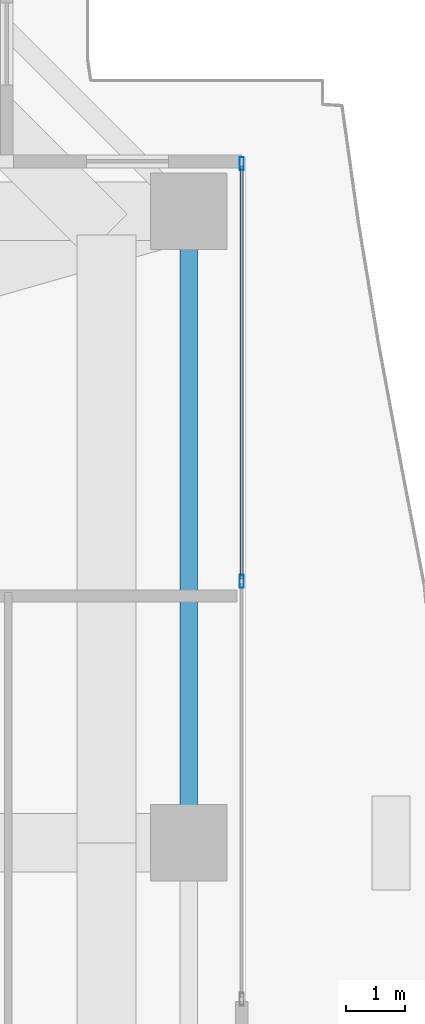
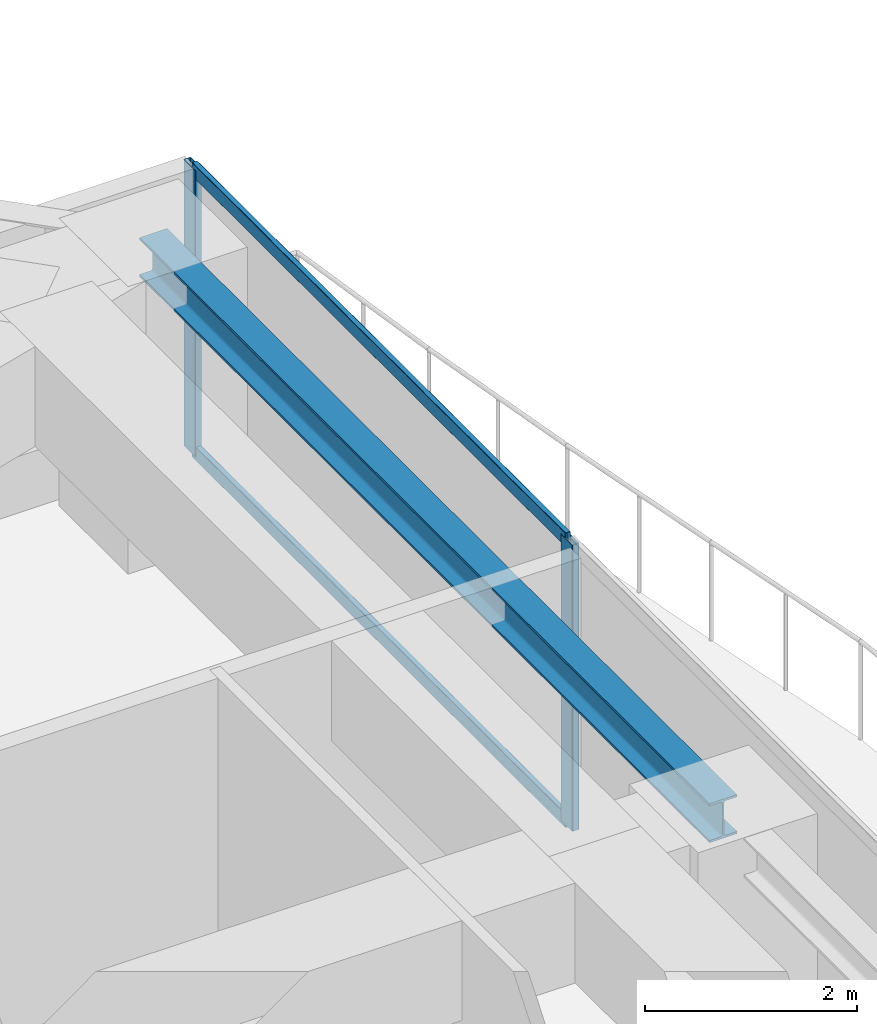
# One storey, part 21 of 32: 4 members, 1 beam, 1 element without a shape of its own.
"""IFC4 building model written with IfcOpenShell, lengths in metres."""

from ifc_helpers import new_model, si_unit, direction, frame, origin, origin_2d, place, context, subcontext, project, spatial, hollow_rectangle, i_section, extrude, source, transform, mapped, material, layer, layer_set, material_profile, profile_set, type_object, element, aggregate, save


model = new_model("IFC4")

# Units and contexts
model_context = context("Model", 3, precision=1e-05, world=origin(), true_north=direction((0.0, 1.0)))
body_context = subcontext(model_context, "Body", "Model", "MODEL_VIEW")
ifc_project = project(units=[si_unit("LENGTHUNIT", "METRE"), si_unit("AREAUNIT", "SQUARE_METRE"), si_unit("VOLUMEUNIT", "CUBIC_METRE"), si_unit("PLANEANGLEUNIT", "RADIAN"), si_unit("MASSUNIT", "GRAM", prefix="KILO")], contexts=[model_context])

# Site, building, storey
site_placement = place(None, origin())
site = spatial("IfcSite", under=ifc_project, at=site_placement, CompositionType="ELEMENT")
building_placement = place(site_placement, origin())
building = spatial("IfcBuilding", under=site, at=building_placement, Name="Serunith Strait Residences", CompositionType="ELEMENT")
storey_placement = place(building_placement, frame((0.0, 0.0, 195.14990234375)))
storey = spatial("IfcBuildingStorey", under=building, at=storey_placement, Name="L49", CompositionType="ELEMENT", Elevation=195.14990234375)

# Beam
ifc_material_1 = material(Name="Steel S355J2", Category="steel")
ifc_material_profile_1 = material_profile(ifc_material_1, i_section(OverallWidth=0.300048828125, OverallDepth=0.449951171875, WebThickness=0.013916015625, FlangeThickness=0.02587890625, FilletRadius=0.027099609375, at=origin_2d()), Name="HEB 450")
ifc_profile_set_1 = profile_set([ifc_material_profile_1], Name="Steel S355J2")
beam_type = type_object("IfcBeamType", Name="BM-HEB450", PredefinedType="BEAM", material=ifc_profile_set_1)
shared_shape_1 = source(origin(), body_context, "Body", "SweptSolid", [
    extrude(i_section(OverallWidth=0.300048828125, OverallDepth=0.449951171875, WebThickness=0.013916015625, FlangeThickness=0.02587890625, FilletRadius=0.027099609375, at=origin_2d()), origin(), (0.0, 0.0, 1.0), 10.75),
])
beam_placement = place(storey_placement, frame((56.10009765625, 29.39990234375, 3.08203125), z_axis=(0.0, 1.0, 0.0), x_axis=(-1.0, 0.0, 0.0)))
element("IfcBeam", 1, at=beam_placement, inside=storey, type_object=beam_type, Name="L49 Perimeter Ring Beam 07", PredefinedType="BEAM", context=body_context, shape_type="MappedRepresentation", body=[
    mapped(shared_shape_1, transform((0.0, 0.0, 0.0), scale=1.0)),
])

# Curtain wall, members
ifc_material_2 = material(Name="Pale-Silver PVDF Aluminium", Category="aluminium")
ifc_layer = layer(ifc_material_2, 0.199951171875, Name="Pale-Silver PVDF Aluminium")
ifc_layer_set = layer_set([ifc_layer], Name="Pale-Silver PVDF Aluminium")
curtain_wall_type = type_object("IfcCurtainWallType", Name="CW-SYS3", PredefinedType="NOTDEFINED", material=ifc_layer_set)
curtain_wall_placement = place(storey_placement, origin())
curtain_wall = element("IfcCurtainWall", 2, at=curtain_wall_placement, inside=storey, type_object=curtain_wall_type, Name="L49 E Unitised Fritted Curtain Wall", PredefinedType="NOTDEFINED")
ifc_material_profile_2 = material_profile(ifc_material_2, hollow_rectangle(XDim=0.06005859375, YDim=0.159912109375, WallThickness=0.00341796875, InnerFilletRadius=0.00537109375, OuterFilletRadius=0.0087890625, at=origin_2d()), Name="ALU 160x60x3.5")
ifc_profile_set_2 = profile_set([ifc_material_profile_2], Name="Pale-Silver PVDF Aluminium")
member_type_1 = type_object("IfcMemberType", Name="CW-SYS3-TRAN", PredefinedType="USERDEFINED", material=ifc_profile_set_2)
shared_shape_2 = source(origin(), body_context, "Body", "SweptSolid", [
    extrude(hollow_rectangle(XDim=0.06005859375, YDim=0.159912109375, WallThickness=0.00341796875, InnerFilletRadius=0.00537109375, OuterFilletRadius=0.0087890625, at=origin_2d()), origin(), (0.0, 0.0, 1.0), 7.03759765625),
])
member_1_placement = place(storey_placement, frame((57.0, 33.887451171875, 0.030029296875), z_axis=(0.0, 1.0, 0.0), x_axis=(-1.0, 0.0, 0.0)))
member_1 = element("IfcMember", 3, at=member_1_placement, type_object=member_type_1, Name="CW-3 transom 2.1", ObjectType="TRANSOM", PredefinedType="USERDEFINED", context=body_context, shape_type="MappedRepresentation", body=[
    mapped(shared_shape_2, transform((0.0, 0.0, 0.0), scale=1.0)),
])
member_2_placement = place(storey_placement, frame((57.0, 33.887451171875, 3.26513671875), z_axis=(0.0, 1.0, 0.0), x_axis=(-1.0, 0.0, 0.0)))
member_2 = element("IfcMember", 4, at=member_2_placement, type_object=member_type_1, Name="CW-3 transom 2.2", ObjectType="TRANSOM", PredefinedType="USERDEFINED", context=body_context, shape_type="MappedRepresentation", body=[
    mapped(shared_shape_2, transform((0.0, 0.0, 0.0), scale=1.0)),
])
ifc_material_profile_3 = material_profile(ifc_material_2, hollow_rectangle(XDim=0.074951171875, YDim=0.219970703125, WallThickness=0.00390625, InnerFilletRadius=0.006103515625, OuterFilletRadius=0.010009765625, at=origin_2d()), Name="ALU 220x75x4")
ifc_profile_set_3 = profile_set([ifc_material_profile_3], Name="Pale-Silver PVDF Aluminium")
member_type_2 = type_object("IfcMemberType", Name="CW-SYS3-MULL", PredefinedType="MULLION", material=ifc_profile_set_3)
shared_shape_3 = source(origin(), body_context, "Body", "SweptSolid", [
    extrude(hollow_rectangle(XDim=0.074951171875, YDim=0.219970703125, WallThickness=0.00390625, InnerFilletRadius=0.006103515625, OuterFilletRadius=0.010009765625, at=origin_2d()), origin(), (0.0, 0.0, 1.0), 3.295166015625),
])
member_3_placement = place(storey_placement, frame((57.0, 33.85009765625, 0.0), z_axis=(0.0, 0.0, 1.0), x_axis=(-1.0, 0.0, 0.0)))
member_3 = element("IfcMember", 5, at=member_3_placement, type_object=member_type_2, Name="CW-3 mullion 2", PredefinedType="MULLION", context=body_context, shape_type="MappedRepresentation", body=[
    mapped(shared_shape_3, transform((0.0, 0.0, 0.0), scale=1.0)),
])
member_4_placement = place(storey_placement, frame((57.0, 40.96240234375, 0.0), z_axis=(0.0, 0.0, 1.0), x_axis=(-1.0, 0.0, 0.0)))
member_4 = element("IfcMember", 6, at=member_4_placement, type_object=member_type_2, Name="CW-3 mullion 3", PredefinedType="MULLION", context=body_context, shape_type="MappedRepresentation", body=[
    mapped(shared_shape_3, transform((0.0, 0.0, 0.0), scale=1.0)),
])
aggregate(curtain_wall, [member_3, member_4, member_1, member_2])

save(model, "model.ifc")
